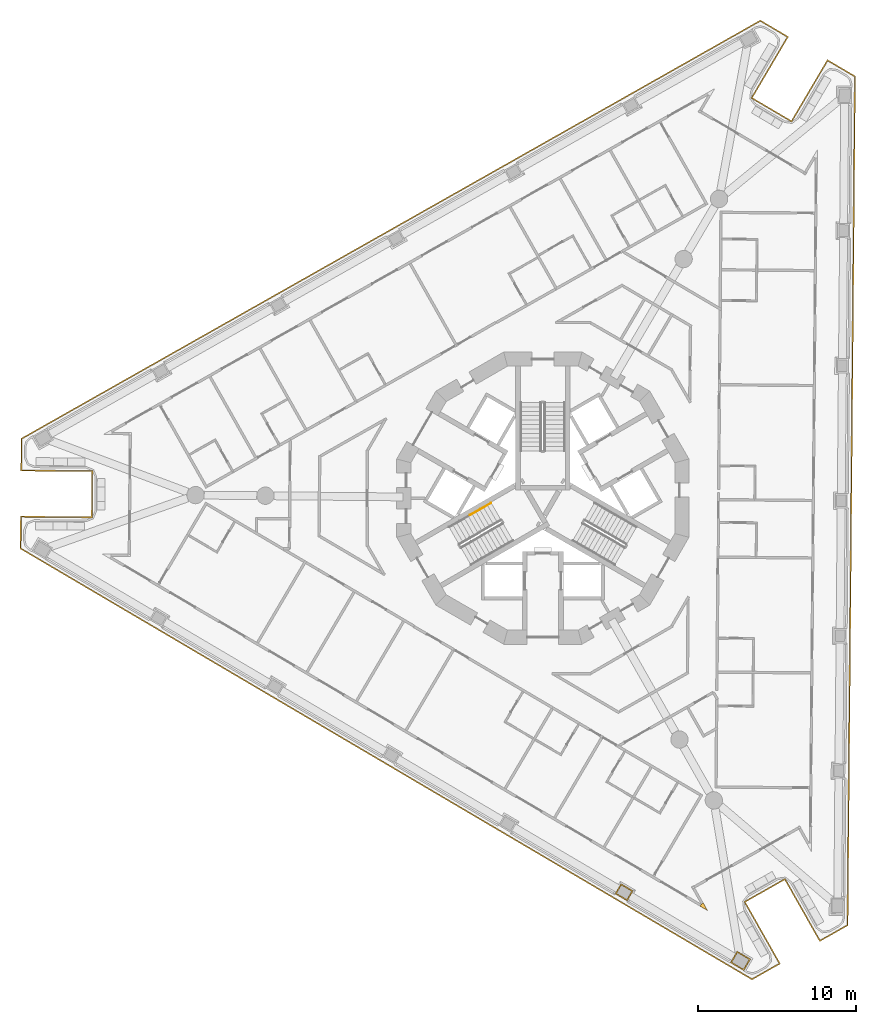
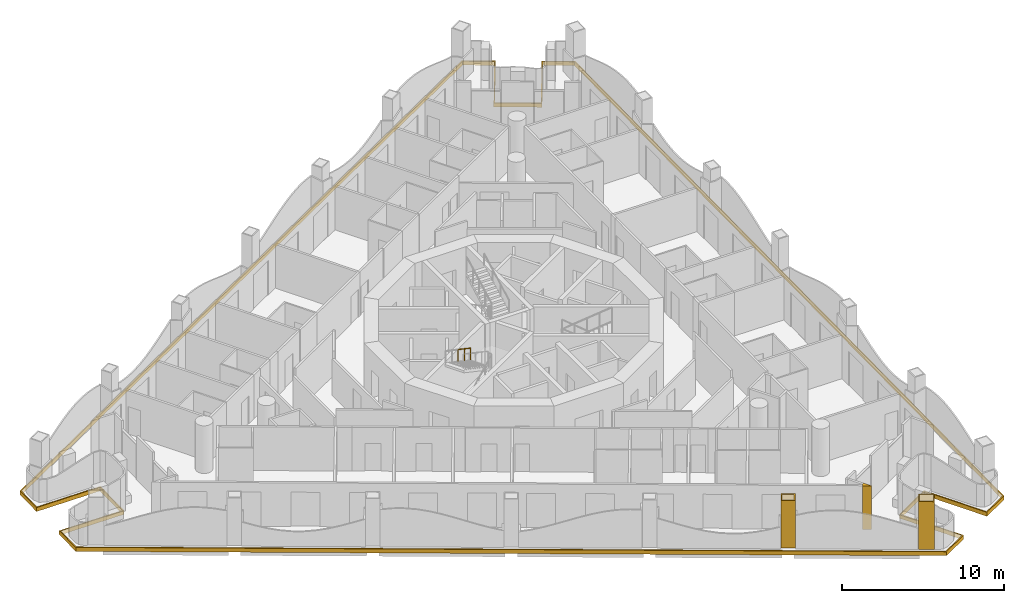
# One storey, part 13 of 17: 4 coverings, 1 railing.
"""IFC4 building model written with IfcOpenShell, lengths in metres."""

import ifcopenshell
import ifcopenshell.guid

model = None  # the IFC model being written
_history = None  # IfcOwnerHistory: only IFC2X3 demands one
_inside = {}  # id of a spatial element -> (the spatial element, [elements in it])
_under = {}  # id of a project, library or spatial element -> (it, [spatial elements below it])
_declared = {}  # id of a project -> (the project, [libraries it declares])
_typed = {}  # id of a type object -> (the type object, [elements of that type])
_made_of = {}  # id of a material, layer set ... -> (it, [elements and type objects made of it])


def new_model(schema):
    """Start an empty IFC model of exactly this schema.

    Asked for "IFC4X3", IfcOpenShell would pick the latest addendum, in which some entities
    have other attributes; the version numbers below select the first issue.
    IFC2X3 requires an IfcOwnerHistory on every rooted entity: one is made here for all.
    """
    global model, _history
    if schema == "IFC4X3":
        model = ifcopenshell.file(schema_version=(4, 3, 0, 0))
    else:
        model = ifcopenshell.file(schema=schema)
    _inside.clear()
    _under.clear()
    _declared.clear()
    _typed.clear()
    _made_of.clear()
    _history = None
    if model.schema == "IFC2X3":
        org = make("IfcOrganization", Name="unknown")
        user = make(
            "IfcPersonAndOrganization",
            ThePerson=make("IfcPerson", FamilyName="unknown"),
            TheOrganization=org,
        )
        app = make(
            "IfcApplication",
            ApplicationDeveloper=org,
            Version="unknown",
            ApplicationFullName="unknown",
            ApplicationIdentifier="unknown",
        )
        _history = make(
            "IfcOwnerHistory",
            OwningUser=user,
            OwningApplication=app,
            ChangeAction="ADDED",
            CreationDate=0,
        )
    return model


def make(cls, **values):
    """One entity of the class cls with the attributes given. An attribute that is None is left unset."""
    return model.create_entity(
        cls, **{name: value for name, value in values.items() if value is not None}
    )


def rooted(cls, **values):
    """An entity with a GlobalId (a new one), such as an element, a storey or a relation."""
    return make(cls, GlobalId=ifcopenshell.guid.new(), OwnerHistory=_history, **values)


def si_unit(unit_type, name, prefix=None):
    """IfcSIUnit, for example si_unit("LENGTHUNIT", "METRE", prefix="MILLI")."""
    return make("IfcSIUnit", UnitType=unit_type, Prefix=prefix, Name=name)


def assignment(units):
    """IfcUnitAssignment: the units of a project."""
    return None if units is None else make("IfcUnitAssignment", Units=units)


def point(xyz):
    """IfcCartesianPoint."""
    return None if xyz is None else make("IfcCartesianPoint", Coordinates=xyz)


def direction(xyz):
    """IfcDirection."""
    return None if xyz is None else make("IfcDirection", DirectionRatios=xyz)


def frame(location, z_axis=None, x_axis=None):
    """IfcAxis2Placement3D, a coordinate frame: its origin and axes. An axis left out is left unset."""
    return make(
        "IfcAxis2Placement3D",
        Location=point(location),
        Axis=direction(z_axis),
        RefDirection=direction(x_axis),
    )


def frame_2d(location, x_axis=None):
    """IfcAxis2Placement2D, a coordinate frame in the plane: its origin and x axis."""
    return make(
        "IfcAxis2Placement2D", Location=point(location), RefDirection=direction(x_axis)
    )


def origin():
    """The frame at (0, 0, 0) with its axes left unset."""
    return frame((0.0, 0.0, 0.0))


def origin_2d():
    """The frame at (0, 0) in the plane with its x axis left unset."""
    return frame_2d((0.0, 0.0))


def place(relative_to, where):
    """IfcLocalPlacement: puts the frame where relative to a parent placement (None: the world)."""
    return make(
        "IfcLocalPlacement", PlacementRelTo=relative_to, RelativePlacement=where
    )


def context(
    kind, dimensions, precision=None, world=None, true_north=None, identifier=None
):
    """IfcGeometricRepresentationContext, for example the 3D "Model" context."""
    return make(
        "IfcGeometricRepresentationContext",
        ContextIdentifier=identifier,
        ContextType=kind,
        CoordinateSpaceDimension=dimensions,
        Precision=precision,
        WorldCoordinateSystem=world,
        TrueNorth=true_north,
    )


def subcontext(parent, identifier, kind, view, scale=None):
    """IfcGeometricRepresentationSubContext, for example "Body" below "Model"."""
    return make(
        "IfcGeometricRepresentationSubContext",
        ContextIdentifier=identifier,
        ContextType=kind,
        ParentContext=parent,
        TargetScale=scale,
        TargetView=view,
    )


def project(units=None, contexts=None):
    """IfcProject with its units and contexts."""
    return rooted(
        "IfcProject",
        Name="project",
        RepresentationContexts=contexts,
        UnitsInContext=assignment(units),
    )


def spatial(cls, under=None, at=None, **own):
    """A site, building, storey or space (cls), placed at a placement, below another one or the project."""
    s = rooted(cls, ObjectPlacement=at, **own)
    if under is not None:
        _under.setdefault(under.id(), (under, []))[1].append(s)
    return s


def polyline(points):
    """IfcPolyline through the points."""
    return make("IfcPolyline", Points=[point(p) for p in points])


def profile(cls, at=None, kind="AREA", **sizes):
    """A parametric profile (cls). Its sizes go by their IFC names, for example OverallWidth=200.0."""
    return make(cls, ProfileType=kind, Position=at, **sizes)


def circle(**sizes):
    """IfcCircleProfileDef."""
    return profile("IfcCircleProfileDef", **sizes)


def outline(outer, holes=None, kind="AREA"):
    """IfcArbitraryClosedProfileDef: a profile drawn as a closed curve; with holes, ...WithVoids."""
    if holes is None:
        return make("IfcArbitraryClosedProfileDef", ProfileType=kind, OuterCurve=outer)
    return make(
        "IfcArbitraryProfileDefWithVoids",
        ProfileType=kind,
        OuterCurve=outer,
        InnerCurves=holes,
    )


def extrude(swept, where, along, depth):
    """IfcExtrudedAreaSolid: the profile swept, set in the frame where, extruded along a direction by depth."""
    return make(
        "IfcExtrudedAreaSolid",
        SweptArea=swept,
        Position=where,
        ExtrudedDirection=direction(along),
        Depth=depth,
    )


def shape(context_of_items, identifier, shape_type, items):
    """IfcShapeRepresentation: the items that make up one representation, for example the "Body"."""
    return make(
        "IfcShapeRepresentation",
        ContextOfItems=context_of_items,
        RepresentationIdentifier=identifier,
        RepresentationType=shape_type,
        Items=items,
    )


def material(Name=None, Category=None):
    """IfcMaterial."""
    return make("IfcMaterial", Name=Name, Category=Category)


def layer(
    of_material, thickness, ventilated=None, Name=None, Category=None, Priority=None
):
    """IfcMaterialLayer: one layer of a wall or slab, of a material (None: an air gap)."""
    return make(
        "IfcMaterialLayer",
        Material=of_material,
        LayerThickness=thickness,
        IsVentilated=ventilated,
        Name=Name,
        Category=Category,
        Priority=Priority,
    )


def layer_set(layers, Name=None):
    """IfcMaterialLayerSet."""
    return make("IfcMaterialLayerSet", MaterialLayers=layers, LayerSetName=Name)


def made_of(thing, what):
    """Note that an element or type object is made of a material, layer set ...; save() writes the relation."""
    if what is not None:
        _made_of.setdefault(what.id(), (what, []))[1].append(thing)
    return thing


def type_object(cls, material=None, **own):
    """A type object (cls), such as IfcWallType, which elements share."""
    return made_of(rooted(cls, **own), material)


def element(
    cls,
    number,
    at=None,
    inside=None,
    cuts=None,
    type_object=None,
    material=None,
    context=None,
    identifier="Body",
    shape_type=None,
    held_by="IfcProductDefinitionShape",
    body=None,
    shapes=None,
    **own,
):
    """One element of the class cls, such as IfcWall. Its Tag is "e" and its number.

    at: its placement. inside: the storey or other place that contains it. cuts: it is an
    opening in that element (IfcRelVoidsElement). A single representation is given by context,
    identifier, shape_type and body (its items); several are given by shapes. held_by: the class
    of the entity that holds the representations. save() writes the other relations.
    """
    e = rooted(cls, Tag="e%d" % number, ObjectPlacement=at, **own)
    if body is not None:
        shapes = [shape(context, identifier, shape_type, body)]
    if shapes is not None:
        e.Representation = make(held_by, Representations=shapes)
    if inside is not None:
        _inside.setdefault(inside.id(), (inside, []))[1].append(e)
    if cuts is not None:
        rooted(
            "IfcRelVoidsElement", RelatingBuildingElement=cuts, RelatedOpeningElement=e
        )
    if type_object is not None:
        _typed.setdefault(type_object.id(), (type_object, []))[1].append(e)
    return made_of(e, material)


def aggregate(whole, parts):
    """IfcRelAggregates: a whole, such as a stair, and the parts it consists of."""
    return rooted("IfcRelAggregates", RelatingObject=whole, RelatedObjects=parts)


def save(model, path):
    """Write the relations noted so far, then the file.

    IfcRelAggregates (storeys below a building ...), IfcRelContainedInSpatialStructure (elements
    in a storey), IfcRelDefinesByType, IfcRelAssociatesMaterial and IfcRelDeclares: one each for
    every whole, place, type object, material and project.
    """
    for whole, parts in _under.values():
        aggregate(whole, parts)
    for where, things in _inside.values():
        rooted(
            "IfcRelContainedInSpatialStructure",
            RelatedElements=things,
            RelatingStructure=where,
        )
    for kind, things in _typed.values():
        rooted("IfcRelDefinesByType", RelatedObjects=things, RelatingType=kind)
    for what, things in _made_of.values():
        rooted("IfcRelAssociatesMaterial", RelatedObjects=things, RelatingMaterial=what)
    for by, libraries in _declared.values():
        rooted("IfcRelDeclares", RelatingContext=by, RelatedDefinitions=libraries)
    model.write(path)


model = new_model("IFC4")

# Units and contexts
model_context = context("Model", 3, precision=1e-05, world=origin(), true_north=direction((0.0, 1.0)))
body_context = subcontext(model_context, "Body", "Model", "MODEL_VIEW")
ifc_project = project(units=[si_unit("LENGTHUNIT", "METRE"), si_unit("AREAUNIT", "SQUARE_METRE"), si_unit("VOLUMEUNIT", "CUBIC_METRE"), si_unit("PLANEANGLEUNIT", "RADIAN"), si_unit("MASSUNIT", "GRAM", prefix="KILO")], contexts=[model_context])

# Site, building, storey
site_placement = place(None, origin())
site = spatial("IfcSite", under=ifc_project, at=site_placement, CompositionType="ELEMENT")
building_placement = place(site_placement, origin())
building = spatial("IfcBuilding", under=site, at=building_placement, Name="Trine Commons Tower", CompositionType="ELEMENT")
storey_placement = place(building_placement, frame((0.0, 0.0, 186.300048828125)))
storey = spatial("IfcBuildingStorey", under=building, at=storey_placement, Name="L48", CompositionType="ELEMENT", Elevation=186.300048828125)

# Coverings
ifc_material_1 = material(Name="Aluminium-framed insulated wall panel", Category="aluminium")
ifc_layer_1 = layer(ifc_material_1, 0.14990234375)
ifc_layer_set_1 = layer_set([ifc_layer_1], Name="Aluminium-framed insulated wall panel")
covering_type_1 = type_object("IfcCoveringType", Name="Glazing corner post, aluminium", PredefinedType="CLADDING", material=ifc_layer_set_1)
covering_1_placement = place(storey_placement, origin())
element("IfcCovering", 1, at=covering_1_placement, inside=storey, type_object=covering_type_1, Name="Glazing corner post 5-12", PredefinedType="CLADDING", context=body_context, shape_type="SweptSolid", body=[
    extrude(outline(polyline([(89.97265625, 36.6083984375), (90.455078125, 36.32421875), (90.179443359375, 36.811279296875), (90.048828125, 36.737548828125), (89.97265625, 36.6083984375)])), origin(), (0.0, 0.0, 1.0), 3.300048828125),
])
ifc_material_2 = material(Name="Limestone, honed", Category="masonry")
ifc_layer_2 = layer(ifc_material_2, 0.074951171875)
ifc_layer_set_2 = layer_set([ifc_layer_2], Name="Limestone, honed")
covering_type_2 = type_object("IfcCoveringType", Name="Limestone column cladding 75", PredefinedType="CLADDING", material=ifc_layer_set_2)
covering_2_placement = place(storey_placement, origin())
element("IfcCovering", 2, at=covering_2_placement, inside=storey, type_object=covering_type_2, Name="Limestone pier cladding 5-01", PredefinedType="CLADDING", context=body_context, shape_type="SweptSolid", body=[
    extrude(outline(polyline([(92.327392578125, 33.753173828125), (91.89599609375, 33.020751953125), (92.757568359375, 32.51318359375), (93.18896484375, 33.24560546875), (92.327392578125, 33.753173828125)]), holes=[polyline([(92.35400390625, 33.650390625), (91.998779296875, 33.047119140625), (92.731201171875, 32.61572265625), (93.086181640625, 33.218994140625), (92.35400390625, 33.650390625)])]), origin(), (0.0, 0.0, 1.0), 3.599853515625),
])
covering_3_placement = place(storey_placement, origin())
element("IfcCovering", 3, at=covering_3_placement, inside=storey, type_object=covering_type_2, Name="Limestone pier cladding 5-02", PredefinedType="CLADDING", context=body_context, shape_type="SweptSolid", body=[
    extrude(outline(polyline([(84.96044921875, 38.03466796875), (84.57958984375, 37.388427734375), (85.355224609375, 36.931640625), (85.73583984375, 37.577880859375), (84.96044921875, 38.03466796875)]), holes=[polyline([(84.987060546875, 37.931884765625), (84.682373046875, 37.414794921875), (85.32861328125, 37.0341796875), (85.63330078125, 37.55126953125), (84.987060546875, 37.931884765625)])]), origin(), (0.0, 0.0, 1.0), 3.599853515625),
])
ifc_layer_3 = layer(ifc_material_2, 0.074951171875)
ifc_layer_set_3 = layer_set([ifc_layer_3], Name="Limestone, honed")
covering_type_3 = type_object("IfcCoveringType", Name="Limestone spandrel panel 75", PredefinedType="CLADDING", material=ifc_layer_set_3)
covering_4_placement = place(storey_placement, frame((0.0, 0.0, -0.300048828125)))
element("IfcCovering", 4, at=covering_4_placement, inside=storey, type_object=covering_type_3, Name="Limestone spandrel panel 5-01", PredefinedType="CLADDING", context=body_context, shape_type="SweptSolid", body=[
    extrude(outline(polyline([(95.34814453125, 38.26611328125), (97.564208984375, 34.349365234375), (99.376708984375, 35.374755859375), (99.846923828125, 89.282958984375), (98.052734375, 90.33984375), (95.768798828125, 86.46240234375), (93.313232421875, 87.908935546875), (95.59716796875, 91.786376953125), (93.802734375, 92.84326171875), (46.8818359375, 66.296630859375), (46.863525390625, 64.214111328125), (51.363525390625, 64.175048828125), (51.338623046875, 61.3251953125), (46.8388671875, 61.3642578125), (46.820556640625, 59.281982421875), (93.271240234375, 31.92041015625), (95.08349609375, 32.94580078125), (92.86767578125, 36.862548828125), (95.34814453125, 38.26611328125)]), holes=[polyline([(98.079345703125, 90.237060546875), (99.771484375, 89.240234375), (99.302001953125, 35.418701171875), (97.592529296875, 34.45166015625), (95.376708984375, 38.3681640625), (92.765380859375, 36.890869140625), (94.9814453125, 32.974365234375), (93.27197265625, 32.007080078125), (46.89599609375, 59.32470703125), (46.9130859375, 61.288818359375), (51.412841796875, 61.24951171875), (51.439208984375, 64.249267578125), (46.939208984375, 64.28857421875), (46.956298828125, 66.252685546875), (93.802001953125, 92.756591796875), (95.494384765625, 91.759765625), (93.21044921875, 87.88232421875), (95.79541015625, 86.35986328125), (98.079345703125, 90.237060546875)])]), origin(), (0.0, 0.0, 1.0), 0.300048828125),
])

# Railing
ifc_material_3 = material(Name="Stainless steel handrail", Category="steel")
railing_type = type_object("IfcRailingType", Name="Stair handrail, steel 900", PredefinedType="HANDRAIL", material=ifc_material_3)
railing_placement = place(storey_placement, frame((76.72265625, 62.195556640625, 1.949951171875)))
element("IfcRailing", 5, at=railing_placement, inside=storey, type_object=railing_type, Name="L48 ST2B stair handrail 3", PredefinedType="HANDRAIL", context=body_context, shape_type="SweptSolid", body=[
    extrude(circle(Radius=0.02099609375, at=origin_2d()), frame((0.0, 0.0, 0.87890625), z_axis=(-0.76340495495, -0.440743040072, 0.472184759798), x_axis=(0.499992328818, -0.866029832698, 0.0)), (0.0, 0.0, 1.0), 1.7470703125),
    extrude(circle(Radius=0.01513671875, at=origin_2d()), origin(), (0.0, 0.0, 1.0), 0.85791015625),
    extrude(circle(Radius=0.01513671875, at=origin_2d()), frame((-0.6669921875, -0.385009765625, 0.41259765625)), (0.0, 0.0, 1.0), 0.85791015625),
    extrude(circle(Radius=0.01513671875, at=origin_2d()), frame((-1.333740234375, -0.77001953125, 0.824951171875)), (0.0, 0.0, 1.0), 0.85791015625),
])

save(model, "model.ifc")
